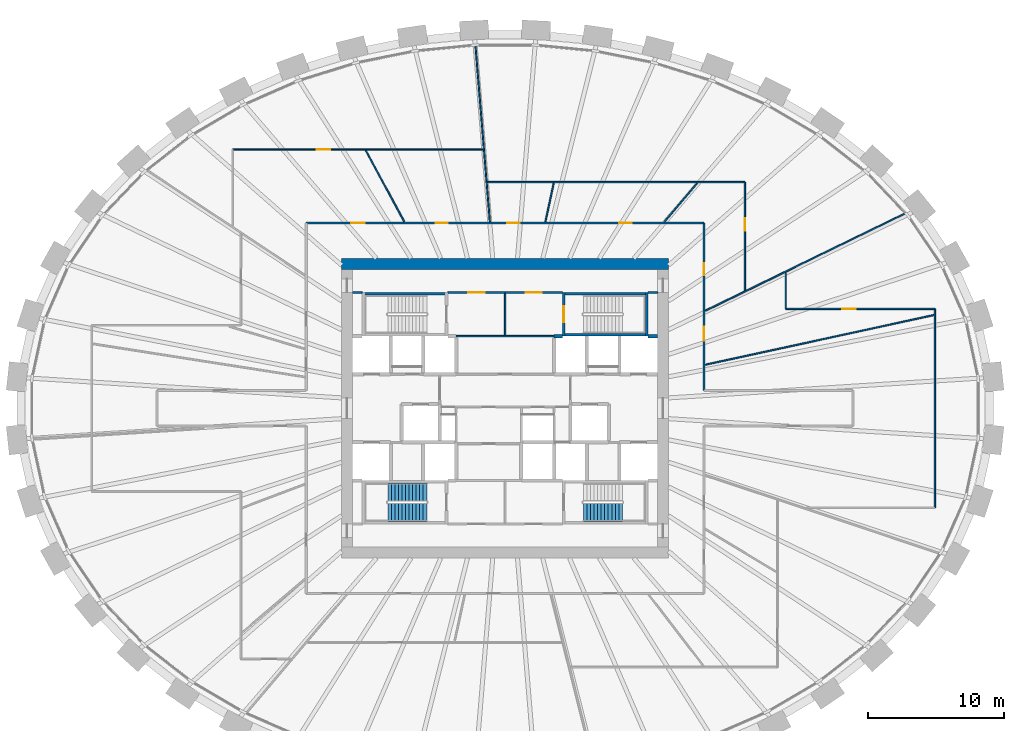
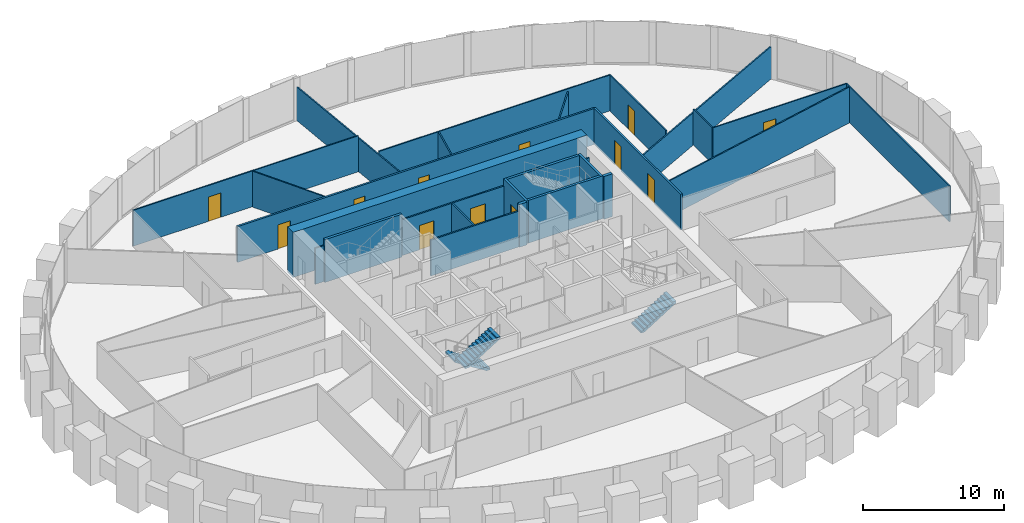
# One storey, part 9 of 11: 27 walls, 12 doors, 3 stair flights, 12 openings, 2 elements without a shape of their own.
"""IFC4 building model written with IfcOpenShell, lengths in metres."""

from ifc_helpers import new_model, si_unit, direction, frame, frame_2d, origin, place, context, subcontext, project, spatial, polyline, rectangle, outline, extrude, source, transform, mapped, material, layer, layer_set, type_object, element, fill, aggregate, save


model = new_model("IFC4")

# Units and contexts
model_context = context("Model", 3, precision=1e-05, world=origin(), true_north=direction((0.0, 1.0)))
body_context = subcontext(model_context, "Body", "Model", "MODEL_VIEW")
ifc_project = project(units=[si_unit("LENGTHUNIT", "METRE"), si_unit("AREAUNIT", "SQUARE_METRE"), si_unit("VOLUMEUNIT", "CUBIC_METRE"), si_unit("PLANEANGLEUNIT", "RADIAN"), si_unit("MASSUNIT", "GRAM", prefix="KILO")], contexts=[model_context])

# Site, building, storey
site_placement = place(None, origin())
site = spatial("IfcSite", under=ifc_project, at=site_placement, CompositionType="ELEMENT")
building_placement = place(site_placement, origin())
building = spatial("IfcBuilding", under=site, at=building_placement, Name="Embergate Tower", CompositionType="ELEMENT")
storey_placement = place(building_placement, frame((0.0, 0.0, 203.39990234375)))
storey = spatial("IfcBuildingStorey", under=building, at=storey_placement, Name="L46", CompositionType="ELEMENT", Elevation=203.39990234375)

# Wall
ifc_material_1 = material(Name="Concrete C70", Category="concrete")
ifc_layer_1 = layer(ifc_material_1, 0.800048828125)
ifc_layer_set_1 = layer_set([ifc_layer_1], Name="Concrete C70")
wall_type_1 = type_object("IfcWallType", Name="Core outer wall C70 800", PredefinedType="SHEAR", material=ifc_layer_set_1)
shared_shape_1 = source(origin(), body_context, "Body", "SweptSolid", [
    extrude(rectangle(XDim=24.0, YDim=0.800048828125, at=frame_2d((12.0, 0.0))), origin(), (0.0, 0.0, 1.0), 3.900146484375),
])
wall_1_placement = place(storey_placement, frame((-12.0, 10.60009765625, -0.199951171875), z_axis=(0.0, 0.0, 1.0), x_axis=(1.0, 0.0, 0.0)))
element("IfcWall", 1, at=wall_1_placement, inside=storey, type_object=wall_type_1, Name="CW-L46-N", PredefinedType="SHEAR", context=body_context, shape_type="MappedRepresentation", body=[
    mapped(shared_shape_1, transform((0.0, 0.0, 0.0))),
])

# Wall, openings, doors
ifc_material_2 = material(Name="Core partition blockwork 120")
ifc_layer_2 = layer(ifc_material_2, 0.1201171875)
ifc_layer_set_2 = layer_set([ifc_layer_2], Name="Core partition blockwork 120")
wall_type_2 = type_object("IfcWallType", Name="Core partition blockwork 120", PredefinedType="PARTITIONING", material=ifc_layer_set_2)
shared_shape_2 = source(origin(), body_context, "Body", "SweptSolid", [
    extrude(rectangle(XDim=8.39990234375, YDim=0.1201171875, at=frame_2d((4.199951171875, 0.0))), origin(), (0.0, 0.0, 1.0), 3.10009765625),
])
wall_2_placement = place(storey_placement, frame((4.199951171875, 8.5, 0.0), z_axis=(0.0, 0.0, 1.0), x_axis=(-1.0, 0.0, 0.0)))
wall_2 = element("IfcWall", 2, at=wall_2_placement, inside=storey, type_object=wall_type_2, Name="IP-3 wall", PredefinedType="PARTITIONING", context=body_context, shape_type="MappedRepresentation", body=[
    mapped(shared_shape_2, transform((0.0, 0.0, 0.0))),
])
shared_shape_3 = source(origin(), body_context, "Body", "SweptSolid", [
    extrude(rectangle(XDim=1.199951171875, YDim=2.10009765625, at=frame_2d((0.60009765625, 1.050048828125))), frame((0.0, 0.070068359375, 0.0), z_axis=(0.0, -1.0, 0.0), x_axis=(1.0, 0.0, 0.0)), (0.0, 0.0, 1.0), 0.14013671875),
])
opening_1_placement = place(wall_2_placement, frame((5.699951171875, 0.0, 0.0)))
opening_1 = element("IfcOpeningElement", 3, at=opening_1_placement, cuts=wall_2, Name="Opening IF-3f", PredefinedType="OPENING", context=body_context, shape_type="MappedRepresentation", body=[
    mapped(shared_shape_3, transform((0.0, 0.0, 0.0))),
])
opening_2_placement = place(wall_2_placement, frame((1.5, 0.0, 0.0)))
opening_2 = element("IfcOpeningElement", 4, at=opening_2_placement, cuts=wall_2, Name="Opening IF-3f", PredefinedType="OPENING", context=body_context, shape_type="MappedRepresentation", body=[
    mapped(shared_shape_3, transform((0.0, 0.0, 0.0))),
])
ifc_material_3 = material(Name="Lobby fire door pair 1200")
door_type_1 = type_object("IfcDoorType", Name="Lobby fire door pair 1200", OperationType="DOUBLE_DOOR_SINGLE_SWING", PredefinedType="DOOR", material=ifc_material_3)
shared_shape_4 = source(origin(), body_context, "Body", "SweptSolid", [
    extrude(rectangle(XDim=1.199951171875, YDim=2.10009765625, at=frame_2d((0.60009765625, 1.050048828125))), frame((0.0, 0.02490234375, 0.0), z_axis=(0.0, -1.0, 0.0), x_axis=(1.0, 0.0, 0.0)), (0.0, 0.0, 1.0), 0.050048828125),
])
door_1_placement = place(opening_1_placement, origin())
door_1 = element("IfcDoor", 5, at=door_1_placement, inside=storey, type_object=door_type_1, Name="IF-3 door", OperationType="DOUBLE_DOOR_SINGLE_SWING", OverallHeight=2.10009765625, OverallWidth=1.199951171875, PredefinedType="DOOR", context=body_context, shape_type="MappedRepresentation", body=[
    mapped(shared_shape_4, transform((0.0, 0.0, 0.0))),
])
fill(opening_1, door_1)
door_2_placement = place(opening_2_placement, origin())
door_2 = element("IfcDoor", 6, at=door_2_placement, inside=storey, type_object=door_type_1, Name="IF-3 door", OperationType="DOUBLE_DOOR_SINGLE_SWING", OverallHeight=2.10009765625, OverallWidth=1.199951171875, PredefinedType="DOOR", context=body_context, shape_type="MappedRepresentation", body=[
    mapped(shared_shape_4, transform((0.0, 0.0, 0.0))),
])
fill(opening_2, door_2)

# Walls
ifc_material_4 = material(Name="Concrete C50", Category="concrete")
ifc_layer_3 = layer(ifc_material_4, 0.199951171875)
ifc_layer_set_3 = layer_set([ifc_layer_3], Name="Concrete C50")
wall_type_3 = type_object("IfcWallType", Name="Stair enclosure wall reinforced concrete 250", PredefinedType="SHEAR", material=ifc_layer_set_3)
shared_shape_5 = source(origin(), body_context, "Body", "SweptSolid", [
    extrude(rectangle(XDim=6.300048828125, YDim=0.199951171875, at=frame_2d((3.14990234375, 0.0))), origin(), (0.0, 0.0, 1.0), 3.7001953125),
])
for number, where, z_axis, x_axis, name in (
    (7, (10.5, 5.39990234375, 0.0), (0.0, 0.0, 1.0), (-1.0, 0.0, 0.0), "SE-1 wall"),
    (8, (-4.199951171875, 8.39990234375, 0.0), (0.0, 0.0, 1.0), (-1.0, 0.0, 0.0), "SE-1 wall"),
    (9, (10.5, 8.39990234375, 0.0), (0.0, 0.0, 1.0), (-1.0, 0.0, 0.0), "SE-1 wall"),
):
    element("IfcWall", number, at=place(storey_placement, frame(where, z_axis=z_axis, x_axis=x_axis)), inside=storey, type_object=wall_type_3, Name=name, PredefinedType="SHEAR", context=body_context, shape_type="MappedRepresentation", body=[
        mapped(shared_shape_5, transform((0.0, 0.0, 0.0))),
    ])

# Wall, opening, door
shared_shape_6 = source(origin(), body_context, "Body", "SweptSolid", [
    extrude(rectangle(XDim=3.199951171875, YDim=0.199951171875, at=frame_2d((1.60009765625, 0.0))), origin(), (0.0, 0.0, 1.0), 3.7001953125),
])
wall_3_placement = place(storey_placement, frame((4.300048828125, 8.5, 0.0), z_axis=(0.0, 0.0, 1.0), x_axis=(0.0, -1.0, 0.0)))
wall_3 = element("IfcWall", 10, at=wall_3_placement, inside=storey, type_object=wall_type_3, Name="SE-1 wall", PredefinedType="SHEAR", context=body_context, shape_type="MappedRepresentation", body=[
    mapped(shared_shape_6, transform((0.0, 0.0, 0.0))),
])
shared_shape_7 = source(origin(), body_context, "Body", "SweptSolid", [
    extrude(rectangle(XDim=1.199951171875, YDim=2.10009765625, at=frame_2d((0.60009765625, 1.050048828125))), frame((0.0, 0.10986328125, 0.0), z_axis=(0.0, -1.0, 0.0), x_axis=(1.0, 0.0, 0.0)), (0.0, 0.0, 1.0), 0.219970703125),
])
opening_3_placement = place(wall_3_placement, frame((1.0, 0.0, 0.0)))
opening_3 = element("IfcOpeningElement", 11, at=opening_3_placement, cuts=wall_3, Name="Opening IF-2", PredefinedType="OPENING", context=body_context, shape_type="MappedRepresentation", body=[
    mapped(shared_shape_7, transform((0.0, 0.0, 0.0))),
])
ifc_material_5 = material(Name="Stair enclosure door 1200")
door_type_2 = type_object("IfcDoorType", Name="Stair enclosure door 1200", OperationType="SINGLE_SWING_LEFT", PredefinedType="DOOR", material=ifc_material_5)
door_3_placement = place(opening_3_placement, origin())
door_3 = element("IfcDoor", 12, at=door_3_placement, inside=storey, type_object=door_type_2, Name="IF-2 door", OperationType="SINGLE_SWING_LEFT", OverallHeight=2.10009765625, OverallWidth=1.199951171875, PredefinedType="DOOR", context=body_context, shape_type="MappedRepresentation", body=[
    mapped(shared_shape_4, transform((0.0, 0.0, 0.0))),
])
fill(opening_3, door_3)

ifc_material_6 = material(Name="Partition dry-lined 100")
ifc_layer_4 = layer(ifc_material_6, 0.10009765625)
ifc_layer_set_4 = layer_set([ifc_layer_4], Name="Partition dry-lined 100")
wall_type_4 = type_object("IfcWallType", Name="Partition dry-lined 100", PredefinedType="PARTITIONING", material=ifc_layer_set_4)
shared_shape_8 = source(origin(), body_context, "Body", "SweptSolid", [
    extrude(rectangle(XDim=10.949951171875, YDim=0.10009765625, at=frame_2d((5.47509765625, 0.0))), origin(), (0.0, 0.0, 1.0), 3.10009765625),
])
wall_4_placement = place(storey_placement, frame((20.60009765625, 7.300048828125, 0.0), z_axis=(0.0, 0.0, 1.0), x_axis=(1.0, 0.0, 0.0)))
wall_4 = element("IfcWall", 13, at=wall_4_placement, inside=storey, type_object=wall_type_4, Name="IP-1 wall", PredefinedType="PARTITIONING", context=body_context, shape_type="MappedRepresentation", body=[
    mapped(shared_shape_8, transform((0.0, 0.0, 0.0))),
])
shared_shape_9 = source(origin(), body_context, "Body", "SweptSolid", [
    extrude(rectangle(XDim=1.0, YDim=2.10009765625, at=frame_2d((0.5, 1.050048828125))), frame((0.0, 0.06005859375, 0.0), z_axis=(0.0, -1.0, 0.0), x_axis=(1.0, 0.0, 0.0)), (0.0, 0.0, 1.0), 0.1201171875),
])
opening_4_placement = place(wall_4_placement, frame((4.133056640625, 0.0, 0.0)))
opening_4 = element("IfcOpeningElement", 14, at=opening_4_placement, cuts=wall_4, Name="Opening ID-2", PredefinedType="OPENING", context=body_context, shape_type="MappedRepresentation", body=[
    mapped(shared_shape_9, transform((0.0, 0.0, 0.0))),
])
ifc_material_7 = material(Name="Interior door 1000")
door_type_3 = type_object("IfcDoorType", Name="Interior door 1000", OperationType="SINGLE_SWING_LEFT", PredefinedType="DOOR", material=ifc_material_7)
shared_shape_10 = source(origin(), body_context, "Body", "SweptSolid", [
    extrude(rectangle(XDim=1.0, YDim=2.10009765625, at=frame_2d((0.5, 1.050048828125))), frame((0.0, 0.02490234375, 0.0), z_axis=(0.0, -1.0, 0.0), x_axis=(1.0, 0.0, 0.0)), (0.0, 0.0, 1.0), 0.050048828125),
])
door_4_placement = place(opening_4_placement, origin())
door_4 = element("IfcDoor", 15, at=door_4_placement, inside=storey, type_object=door_type_3, Name="ID-2 door", OperationType="SINGLE_SWING_RIGHT", OverallHeight=2.10009765625, OverallWidth=1.0, PredefinedType="DOOR", context=body_context, shape_type="MappedRepresentation", body=[
    mapped(shared_shape_10, transform((0.0, 0.0, 0.0))),
])
fill(opening_4, door_4)

# Walls
shared_shape_11 = source(origin(), body_context, "Body", "SweptSolid", [
    extrude(rectangle(XDim=7.2001953125, YDim=0.1201171875, at=frame_2d((3.60009765625, 0.0))), origin(), (0.0, 0.0, 1.0), 3.10009765625),
])
wall_5_placement = place(storey_placement, frame((-3.60009765625, 5.300048828125, 0.0), z_axis=(0.0, 0.0, 1.0), x_axis=(1.0, 0.0, 0.0)))
element("IfcWall", 16, at=wall_5_placement, inside=storey, type_object=wall_type_2, Name="IP-3 wall", PredefinedType="PARTITIONING", context=body_context, shape_type="MappedRepresentation", body=[
    mapped(shared_shape_11, transform((0.0, 0.0, 0.0))),
])
shared_shape_12 = source(origin(), body_context, "Body", "SweptSolid", [
    extrude(rectangle(XDim=3.079833984375, YDim=0.1201171875, at=frame_2d((1.5400390625, 0.0))), origin(), (0.0, 0.0, 1.0), 3.10009765625),
])
wall_6_placement = place(storey_placement, frame((0.0, 5.360107421875, 0.0), z_axis=(0.0, 0.0, 1.0), x_axis=(0.0, 1.0, 0.0)))
element("IfcWall", 17, at=wall_6_placement, inside=storey, type_object=wall_type_2, Name="IP-3 wall", PredefinedType="PARTITIONING", context=body_context, shape_type="MappedRepresentation", body=[
    mapped(shared_shape_12, transform((0.0, 0.0, 0.0))),
])
shared_shape_13 = source(origin(), body_context, "Body", "SweptSolid", [
    extrude(rectangle(XDim=0.697998046875, YDim=0.1201171875, at=frame_2d((0.34912109375, 0.0))), origin(), (0.0, 0.0, 1.0), 3.10009765625),
])
for number, where, z_axis, x_axis, name in (
    (18, (10.501953125, 8.5, 0.0), (0.0, 0.0, 1.0), (1.0, 0.0, 0.0), "IP-3 wall"),
    (19, (-11.199951171875, 8.5, 0.0), (0.0, 0.0, 1.0), (1.0, 0.0, 0.0), "IP-3 wall"),
):
    element("IfcWall", number, at=place(storey_placement, frame(where, z_axis=z_axis, x_axis=x_axis)), inside=storey, type_object=wall_type_2, Name=name, PredefinedType="PARTITIONING", context=body_context, shape_type="MappedRepresentation", body=[
        mapped(shared_shape_13, transform((0.0, 0.0, 0.0))),
    ])
ifc_layer_5 = layer(ifc_material_4, 0.25)
ifc_layer_set_5 = layer_set([ifc_layer_5], Name="Concrete C50")
wall_type_5 = type_object("IfcWallType", Name="Hoistway wall reinforced concrete 250", PredefinedType="SHEAR", material=ifc_layer_set_5)
shared_shape_14 = source(origin(), body_context, "Body", "SweptSolid", [
    extrude(rectangle(XDim=0.599853515625, YDim=0.25, at=frame_2d((0.2998046875, 0.0))), origin(), (0.0, 0.0, 1.0), 3.7001953125),
])
wall_7_placement = place(storey_placement, frame((4.199951171875, 5.300048828125, 0.0), z_axis=(0.0, 0.0, 1.0), x_axis=(-1.0, 0.0, 0.0)))
element("IfcWall", 20, at=wall_7_placement, inside=storey, type_object=wall_type_5, Name="HW-1 wall", PredefinedType="SHEAR", context=body_context, shape_type="MappedRepresentation", body=[
    mapped(shared_shape_14, transform((0.0, 0.0, 0.0))),
])
shared_shape_15 = source(origin(), body_context, "Body", "SweptSolid", [
    extrude(rectangle(XDim=3.196044921875, YDim=0.199951171875, at=frame_2d((1.59814453125, 0.0))), origin(), (0.0, 0.0, 1.0), 3.7001953125),
])
wall_8_placement = place(storey_placement, frame((10.39990234375, 5.302001953125, 0.0), z_axis=(0.0, 0.0, 1.0), x_axis=(0.0, 1.0, 0.0)))
element("IfcWall", 21, at=wall_8_placement, inside=storey, type_object=wall_type_3, Name="SE-1 wall", PredefinedType="SHEAR", context=body_context, shape_type="MappedRepresentation", body=[
    mapped(shared_shape_15, transform((0.0, 0.0, 0.0))),
])
shared_shape_16 = source(origin(), body_context, "Body", "SweptSolid", [
    extrude(rectangle(XDim=0.697998046875, YDim=0.25, at=frame_2d((0.34912109375, 0.0))), origin(), (0.0, 0.0, 1.0), 3.7001953125),
])
wall_9_placement = place(storey_placement, frame((11.199951171875, 5.300048828125, 0.0), z_axis=(0.0, 0.0, 1.0), x_axis=(-1.0, 0.0, 0.0)))
element("IfcWall", 22, at=wall_9_placement, inside=storey, type_object=wall_type_5, Name="HW-1 wall", PredefinedType="SHEAR", context=body_context, shape_type="MappedRepresentation", body=[
    mapped(shared_shape_16, transform((0.0, 0.0, 0.0))),
])

# Wall, openings, doors
ifc_material_8 = material(Name="Corridor wall dry-lined 150")
ifc_layer_6 = layer(ifc_material_8, 0.14990234375)
ifc_layer_set_6 = layer_set([ifc_layer_6], Name="Corridor wall dry-lined 150")
wall_type_6 = type_object("IfcWallType", Name="Corridor wall dry-lined 150", PredefinedType="PARTITIONING", material=ifc_layer_set_6)
shared_shape_17 = source(origin(), body_context, "Body", "SweptSolid", [
    extrude(rectangle(XDim=12.300048828125, YDim=0.14990234375, at=frame_2d((6.14990234375, 0.0))), origin(), (0.0, 0.0, 1.0), 3.10009765625),
])
wall_10_placement = place(storey_placement, frame((14.60009765625, 13.60009765625, 0.0), z_axis=(0.0, 0.0, 1.0), x_axis=(0.0, -1.0, 0.0)))
wall_10 = element("IfcWall", 23, at=wall_10_placement, inside=storey, type_object=wall_type_6, Name="IP-2 wall", PredefinedType="PARTITIONING", context=body_context, shape_type="MappedRepresentation", body=[
    mapped(shared_shape_17, transform((0.0, 0.0, 0.0))),
])
shared_shape_18 = source(origin(), body_context, "Body", "SweptSolid", [
    extrude(rectangle(XDim=1.0, YDim=2.10009765625, at=frame_2d((0.5, 1.050048828125))), frame((0.0, 0.0849609375, 0.0), z_axis=(0.0, -1.0, 0.0), x_axis=(1.0, 0.0, 0.0)), (0.0, 0.0, 1.0), 0.169921875),
])
opening_5_placement = place(wall_10_placement, frame((7.631103515625, 0.0, 0.0)))
opening_5 = element("IfcOpeningElement", 24, at=opening_5_placement, cuts=wall_10, Name="Opening ID-2", PredefinedType="OPENING", context=body_context, shape_type="MappedRepresentation", body=[
    mapped(shared_shape_18, transform((0.0, 0.0, 0.0))),
])
shared_shape_19 = source(origin(), body_context, "Body", "SweptSolid", [
    extrude(rectangle(XDim=0.89990234375, YDim=2.10009765625, at=frame_2d((0.449951171875, 1.050048828125))), frame((0.0, 0.0849609375, 0.0), z_axis=(0.0, -1.0, 0.0), x_axis=(1.0, 0.0, 0.0)), (0.0, 0.0, 1.0), 0.169921875),
])
opening_6_placement = place(wall_10_placement, frame((2.945068359375, 0.0, 0.0)))
opening_6 = element("IfcOpeningElement", 25, at=opening_6_placement, cuts=wall_10, Name="Opening IF-1c", PredefinedType="OPENING", context=body_context, shape_type="MappedRepresentation", body=[
    mapped(shared_shape_19, transform((0.0, 0.0, 0.0))),
])
ifc_material_9 = material(Name="Escape fire door 900")
door_type_4 = type_object("IfcDoorType", Name="Escape fire door 900", OperationType="SINGLE_SWING_LEFT", PredefinedType="DOOR", material=ifc_material_9)
shared_shape_20 = source(origin(), body_context, "Body", "SweptSolid", [
    extrude(rectangle(XDim=0.89990234375, YDim=2.10009765625, at=frame_2d((0.449951171875, 1.050048828125))), frame((0.0, 0.02490234375, 0.0), z_axis=(0.0, -1.0, 0.0), x_axis=(1.0, 0.0, 0.0)), (0.0, 0.0, 1.0), 0.050048828125),
])
door_5_placement = place(opening_6_placement, origin())
door_5 = element("IfcDoor", 26, at=door_5_placement, inside=storey, type_object=door_type_4, Name="IF-1 door", OperationType="SINGLE_SWING_RIGHT", OverallHeight=2.10009765625, OverallWidth=0.89990234375, PredefinedType="DOOR", context=body_context, shape_type="MappedRepresentation", body=[
    mapped(shared_shape_20, transform((0.0, 0.0, 0.0))),
])
fill(opening_6, door_5)
door_6_placement = place(opening_5_placement, origin())
door_6 = element("IfcDoor", 27, at=door_6_placement, inside=storey, type_object=door_type_3, Name="ID-2 door", OperationType="SINGLE_SWING_RIGHT", OverallHeight=2.10009765625, OverallWidth=1.0, PredefinedType="DOOR", context=body_context, shape_type="MappedRepresentation", body=[
    mapped(shared_shape_10, transform((0.0, 0.0, 0.0))),
])
fill(opening_5, door_6)

ifc_material_10 = material(Name="Corridor wall dry-lined 150 wet")
ifc_layer_7 = layer(ifc_material_10, 0.14990234375)
ifc_layer_set_7 = layer_set([ifc_layer_7], Name="Corridor wall dry-lined 150 wet")
wall_type_7 = type_object("IfcWallType", Name="Corridor wall dry-lined 150 wet", PredefinedType="PLUMBINGWALL", material=ifc_layer_set_7)
shared_shape_21 = source(origin(), body_context, "Body", "SweptSolid", [
    extrude(rectangle(XDim=29.2001953125, YDim=0.14990234375, at=frame_2d((14.60009765625, 0.0))), origin(), (0.0, 0.0, 1.0), 3.10009765625),
])
wall_11_placement = place(storey_placement, frame((-14.60009765625, 13.60009765625, 0.0), z_axis=(0.0, 0.0, 1.0), x_axis=(1.0, 0.0, 0.0)))
wall_11 = element("IfcWall", 28, at=wall_11_placement, inside=storey, type_object=wall_type_7, Name="IP-2 wall", PredefinedType="PLUMBINGWALL", context=body_context, shape_type="MappedRepresentation", body=[
    mapped(shared_shape_21, transform((0.0, 0.0, 0.0))),
])
opening_7_placement = place(wall_11_placement, frame((22.99609375, 0.0, 0.0)))
opening_7 = element("IfcOpeningElement", 29, at=opening_7_placement, cuts=wall_11, Name="Opening IF-1c", PredefinedType="OPENING", context=body_context, shape_type="MappedRepresentation", body=[
    mapped(shared_shape_19, transform((0.0, 0.0, 0.0))),
])
opening_8_placement = place(wall_11_placement, frame((14.757080078125, 0.0, 0.0)))
opening_8 = element("IfcOpeningElement", 30, at=opening_8_placement, cuts=wall_11, Name="Opening IF-1c", PredefinedType="OPENING", context=body_context, shape_type="MappedRepresentation", body=[
    mapped(shared_shape_19, transform((0.0, 0.0, 0.0))),
])
opening_9_placement = place(wall_11_placement, frame((9.493896484375, 0.0, 0.0)))
opening_9 = element("IfcOpeningElement", 31, at=opening_9_placement, cuts=wall_11, Name="Opening IF-1c", PredefinedType="OPENING", context=body_context, shape_type="MappedRepresentation", body=[
    mapped(shared_shape_19, transform((0.0, 0.0, 0.0))),
])
opening_10_placement = place(wall_11_placement, frame((3.2958984375, 0.0, 0.0)))
opening_10 = element("IfcOpeningElement", 32, at=opening_10_placement, cuts=wall_11, Name="Opening ID-2", PredefinedType="OPENING", context=body_context, shape_type="MappedRepresentation", body=[
    mapped(shared_shape_18, transform((0.0, 0.0, 0.0))),
])
door_7_placement = place(opening_7_placement, origin())
door_7 = element("IfcDoor", 33, at=door_7_placement, inside=storey, type_object=door_type_4, Name="IF-1 door", OperationType="SINGLE_SWING_RIGHT", OverallHeight=2.10009765625, OverallWidth=0.89990234375, PredefinedType="DOOR", context=body_context, shape_type="MappedRepresentation", body=[
    mapped(shared_shape_20, transform((0.0, 0.0, 0.0))),
])
fill(opening_7, door_7)
door_8_placement = place(opening_8_placement, origin())
door_8 = element("IfcDoor", 34, at=door_8_placement, inside=storey, type_object=door_type_4, Name="IF-1 door", OperationType="SINGLE_SWING_LEFT", OverallHeight=2.10009765625, OverallWidth=0.89990234375, PredefinedType="DOOR", context=body_context, shape_type="MappedRepresentation", body=[
    mapped(shared_shape_20, transform((0.0, 0.0, 0.0))),
])
fill(opening_8, door_8)
door_9_placement = place(opening_9_placement, origin())
door_9 = element("IfcDoor", 35, at=door_9_placement, inside=storey, type_object=door_type_4, Name="IF-1 door", OperationType="SINGLE_SWING_LEFT", OverallHeight=2.10009765625, OverallWidth=0.89990234375, PredefinedType="DOOR", context=body_context, shape_type="MappedRepresentation", body=[
    mapped(shared_shape_20, transform((0.0, 0.0, 0.0))),
])
fill(opening_9, door_9)
door_10_placement = place(opening_10_placement, origin())
door_10 = element("IfcDoor", 36, at=door_10_placement, inside=storey, type_object=door_type_3, Name="ID-2 door", OperationType="SINGLE_SWING_LEFT", OverallHeight=2.10009765625, OverallWidth=1.0, PredefinedType="DOOR", context=body_context, shape_type="MappedRepresentation", body=[
    mapped(shared_shape_10, transform((0.0, 0.0, 0.0))),
])
fill(opening_10, door_10)

# Walls
shared_shape_22 = source(origin(), body_context, "Body", "SweptSolid", [
    extrude(rectangle(XDim=17.195556640625, YDim=0.10009765625, at=frame_2d((8.59765625, 0.0))), origin(), (0.0, 0.0, 1.0), 3.10009765625),
])
wall_12_placement = place(storey_placement, frame((31.489013671875, 6.844970703125, 0.0), z_axis=(0.0, 0.0, 1.0), x_axis=(-0.977173288454, -0.212443790994, 0.0)))
element("IfcWall", 37, at=wall_12_placement, inside=storey, type_object=wall_type_4, Name="IP-1 wall", PredefinedType="PARTITIONING", context=body_context, shape_type="MappedRepresentation", body=[
    mapped(shared_shape_22, transform((0.0, 0.0, 0.0))),
])
shared_shape_23 = source(origin(), body_context, "Body", "SweptSolid", [
    extrude(rectangle(XDim=14.60009765625, YDim=0.10009765625, at=frame_2d((7.300048828125, 0.0))), origin(), (0.0, 0.0, 1.0), 3.10009765625),
])
wall_13_placement = place(storey_placement, frame((31.550048828125, 7.300048828125, 0.0), z_axis=(0.0, 0.0, 1.0), x_axis=(0.0, -1.0, 0.0)))
element("IfcWall", 38, at=wall_13_placement, inside=storey, type_object=wall_type_4, Name="IP-1 wall", PredefinedType="PARTITIONING", context=body_context, shape_type="MappedRepresentation", body=[
    mapped(shared_shape_23, transform((0.0, 0.0, 0.0))),
])
shared_shape_24 = source(origin(), body_context, "Body", "SweptSolid", [
    extrude(rectangle(XDim=2.65185546875, YDim=0.10009765625, at=frame_2d((1.325927734375, 0.0))), origin(), (0.0, 0.0, 1.0), 3.10009765625),
])
wall_14_placement = place(storey_placement, frame((20.60009765625, 9.951904296875, 0.0), z_axis=(0.0, 0.0, 1.0), x_axis=(0.0, -1.0, 0.0)))
element("IfcWall", 39, at=wall_14_placement, inside=storey, type_object=wall_type_4, Name="IP-1 wall", PredefinedType="PARTITIONING", context=body_context, shape_type="MappedRepresentation", body=[
    mapped(shared_shape_24, transform((0.0, 0.0, 0.0))),
])
ifc_material_11 = material(Name="Partition dry-lined 100 wet")
ifc_layer_8 = layer(ifc_material_11, 0.10009765625)
ifc_layer_set_8 = layer_set([ifc_layer_8], Name="Partition dry-lined 100 wet")
wall_type_8 = type_object("IfcWallType", Name="Partition dry-lined 100 wet", PredefinedType="PLUMBINGWALL", material=ifc_layer_set_8)
shared_shape_25 = source(origin(), body_context, "Body", "SweptSolid", [
    extrude(rectangle(XDim=16.35498046875, YDim=0.10009765625, at=frame_2d((8.177490234375, 0.0))), origin(), (0.0, 0.0, 1.0), 2.800048828125),
])
wall_15_placement = place(storey_placement, frame((29.40087890625, 14.318115234375, 0.0), z_axis=(0.0, 0.0, 1.0), x_axis=(-0.899044868623, -0.437856510974, 0.0)))
element("IfcWall", 40, at=wall_15_placement, inside=storey, type_object=wall_type_8, Name="IP-1 wall", PredefinedType="PLUMBINGWALL", context=body_context, shape_type="MappedRepresentation", body=[
    mapped(shared_shape_25, transform((0.0, 0.0, 0.0))),
])

# Wall, opening, door
shared_shape_26 = source(origin(), body_context, "Body", "SweptSolid", [
    extrude(rectangle(XDim=7.94921875, YDim=0.10009765625, at=frame_2d((3.974609375, 0.0))), origin(), (0.0, 0.0, 1.0), 3.10009765625),
])
wall_16_placement = place(storey_placement, frame((17.60009765625, 8.65087890625, 0.0), z_axis=(0.0, 0.0, 1.0), x_axis=(0.0, 1.0, 0.0)))
wall_16 = element("IfcWall", 41, at=wall_16_placement, inside=storey, type_object=wall_type_8, Name="IP-1 wall", PredefinedType="PLUMBINGWALL", context=body_context, shape_type="MappedRepresentation", body=[
    mapped(shared_shape_26, transform((0.0, 0.0, 0.0))),
])
shared_shape_27 = source(origin(), body_context, "Body", "SweptSolid", [
    extrude(rectangle(XDim=0.89990234375, YDim=2.10009765625, at=frame_2d((0.449951171875, 1.050048828125))), frame((0.0, 0.06005859375, 0.0), z_axis=(0.0, -1.0, 0.0), x_axis=(1.0, 0.0, 0.0)), (0.0, 0.0, 1.0), 0.1201171875),
])
opening_11_placement = place(wall_16_placement, frame((4.398681640625, 0.0, 0.0)))
opening_11 = element("IfcOpeningElement", 42, at=opening_11_placement, cuts=wall_16, Name="Opening ID-1", PredefinedType="OPENING", context=body_context, shape_type="MappedRepresentation", body=[
    mapped(shared_shape_27, transform((0.0, 0.0, 0.0))),
])
ifc_material_12 = material(Name="Interior door 900")
door_type_5 = type_object("IfcDoorType", Name="Interior door 900", OperationType="SINGLE_SWING_LEFT", PredefinedType="DOOR", material=ifc_material_12)
door_11_placement = place(opening_11_placement, origin())
door_11 = element("IfcDoor", 43, at=door_11_placement, inside=storey, type_object=door_type_5, Name="ID-1 door", OperationType="SINGLE_SWING_LEFT", OverallHeight=2.10009765625, OverallWidth=0.89990234375, PredefinedType="DOOR", context=body_context, shape_type="MappedRepresentation", body=[
    mapped(shared_shape_20, transform((0.0, 0.0, 0.0))),
])
fill(opening_11, door_11)

# Walls
shared_shape_28 = source(origin(), body_context, "Body", "SweptSolid", [
    extrude(rectangle(XDim=18.906982421875, YDim=0.10009765625, at=frame_2d((9.45361328125, 0.0))), origin(), (0.0, 0.0, 1.0), 3.10009765625),
])
wall_17_placement = place(storey_placement, frame((17.60009765625, 16.60009765625, 0.0), z_axis=(0.0, 0.0, 1.0), x_axis=(-1.0, 0.0, 0.0)))
element("IfcWall", 44, at=wall_17_placement, inside=storey, type_object=wall_type_8, Name="IP-1 wall", PredefinedType="PLUMBINGWALL", context=body_context, shape_type="MappedRepresentation", body=[
    mapped(shared_shape_28, transform((0.0, 0.0, 0.0))),
])
shared_shape_29 = source(origin(), body_context, "Body", "SweptSolid", [
    extrude(rectangle(XDim=2.9189453125, YDim=0.10009765625, at=frame_2d((1.45947265625, 0.0))), origin(), (0.0, 0.0, 1.0), 3.10009765625),
])
wall_18_placement = place(storey_placement, frame((2.955078125, 13.68603515625, 0.0), z_axis=(0.0, 0.0, 1.0), x_axis=(0.211356547665, 0.977409028892, 0.0)))
element("IfcWall", 45, at=wall_18_placement, inside=storey, type_object=wall_type_8, Name="IP-1 wall", PredefinedType="PLUMBINGWALL", context=body_context, shape_type="MappedRepresentation", body=[
    mapped(shared_shape_29, transform((0.0, 0.0, 0.0))),
])
shared_shape_30 = source(origin(), body_context, "Body", "SweptSolid", [
    extrude(rectangle(XDim=5.941650390625, YDim=0.10009765625, at=frame_2d((2.970703125, 0.0))), origin(), (0.0, 0.0, 1.0), 3.10009765625),
])
wall_19_placement = place(storey_placement, frame((-7.40087890625, 13.698974609375, 0.0), z_axis=(0.0, 0.0, 1.0), x_axis=(-0.475486095106, 0.879723236797, 0.0)))
element("IfcWall", 46, at=wall_19_placement, inside=storey, type_object=wall_type_4, Name="IP-1 wall", PredefinedType="PARTITIONING", context=body_context, shape_type="MappedRepresentation", body=[
    mapped(shared_shape_30, transform((0.0, 0.0, 0.0))),
])

# Wall, opening, door
shared_shape_31 = source(origin(), body_context, "Body", "SweptSolid", [
    extrude(rectangle(XDim=18.39697265625, YDim=0.10009765625, at=frame_2d((9.198486328125, 0.0))), origin(), (0.0, 0.0, 1.0), 3.10009765625),
])
wall_20_placement = place(storey_placement, frame((-20.0, 19.0, 0.0), z_axis=(0.0, 0.0, 1.0), x_axis=(1.0, 0.0, 0.0)))
wall_20 = element("IfcWall", 47, at=wall_20_placement, inside=storey, type_object=wall_type_4, Name="IP-1 wall", PredefinedType="PARTITIONING", context=body_context, shape_type="MappedRepresentation", body=[
    mapped(shared_shape_31, transform((0.0, 0.0, 0.0))),
])
opening_12_placement = place(wall_20_placement, frame((6.156982421875, 0.0, 0.0)))
opening_12 = element("IfcOpeningElement", 48, at=opening_12_placement, cuts=wall_20, Name="Opening ID-2", PredefinedType="OPENING", context=body_context, shape_type="MappedRepresentation", body=[
    mapped(shared_shape_9, transform((0.0, 0.0, 0.0))),
])
door_12_placement = place(opening_12_placement, origin())
door_12 = element("IfcDoor", 49, at=door_12_placement, inside=storey, type_object=door_type_3, Name="ID-2 door", OperationType="SINGLE_SWING_RIGHT", OverallHeight=2.10009765625, OverallWidth=1.0, PredefinedType="DOOR", context=body_context, shape_type="MappedRepresentation", body=[
    mapped(shared_shape_10, transform((0.0, 0.0, 0.0))),
])
fill(opening_12, door_12)

# Walls
shared_shape_32 = source(origin(), body_context, "Body", "SweptSolid", [
    extrude(rectangle(XDim=3.693603515625, YDim=0.10009765625, at=frame_2d((1.8466796875, 0.0))), origin(), (0.0, 0.0, 1.0), 2.900146484375),
])
wall_21_placement = place(storey_placement, frame((11.694091796875, 13.70703125, 0.0), z_axis=(0.0, 0.0, 1.0), x_axis=(0.648971364337, 0.760812833929, 0.0)))
element("IfcWall", 50, at=wall_21_placement, inside=storey, type_object=wall_type_8, Name="IP-1 wall", PredefinedType="PLUMBINGWALL", context=body_context, shape_type="MappedRepresentation", body=[
    mapped(shared_shape_32, transform((0.0, 0.0, 0.0))),
])
shared_shape_33 = source(origin(), body_context, "Body", "SweptSolid", [
    extrude(rectangle(XDim=13.025146484375, YDim=0.10009765625, at=frame_2d((6.5126953125, 0.0))), origin(), (0.0, 0.0, 1.0), 2.900146484375),
])
wall_22_placement = place(storey_placement, frame((-1.117919921875, 13.675048828125, 0.0), z_axis=(0.0, 0.0, 1.0), x_axis=(-0.081460046977, 0.996676607906, 0.0)))
element("IfcWall", 51, at=wall_22_placement, inside=storey, type_object=wall_type_8, Name="IP-1 wall", PredefinedType="PLUMBINGWALL", context=body_context, shape_type="MappedRepresentation", body=[
    mapped(shared_shape_33, transform((0.0, 0.0, 0.0))),
])

# Stair, stair flights
ifc_material_13 = material(Name="Exit stair")
stair_type = type_object("IfcStairType", Name="Exit stair", PredefinedType="HALF_TURN_STAIR", material=ifc_material_13)
stair_1_placement = place(storey_placement, origin())
stair_1 = element("IfcStair", 52, at=stair_1_placement, inside=storey, type_object=stair_type, Name="L46 Exit stair 3", PredefinedType="HALF_TURN_STAIR")
ifc_material_14 = material(Name="Concrete C40", Category="concrete")
stair_flight_type = type_object("IfcStairFlightType", Name="Stair flight reinforced concrete", PredefinedType="STRAIGHT", material=ifc_material_14)
shared_shape_34 = source(origin(), body_context, "Body", "SweptSolid", [
    extrude(outline(polyline([(0.0, 0.0), (0.0, 0.16259765625), (0.260009765625, 0.16259765625), (0.260009765625, 0.324951171875), (0.52001953125, 0.324951171875), (0.52001953125, 0.487548828125), (0.780029296875, 0.487548828125), (0.780029296875, 0.64990234375), (1.0400390625, 0.64990234375), (1.0400390625, 0.8125), (1.300048828125, 0.8125), (1.300048828125, 0.97509765625), (1.56005859375, 0.97509765625), (1.56005859375, 1.137451171875), (1.820068359375, 1.137451171875), (1.820068359375, 1.300048828125), (2.080078125, 1.300048828125), (2.080078125, 1.46240234375), (2.340087890625, 1.46240234375), (2.340087890625, 1.625), (2.60009765625, 1.625), (2.60009765625, 1.78759765625), (2.860107421875, 1.78759765625), (2.860107421875, 1.949951171875), (2.860107421875, 1.61083984375), (0.28271484375, 0.0), (0.0, 0.0)])), frame((0.0, 0.675048828125, 0.0), z_axis=(0.0, -1.0, 0.0), x_axis=(1.0, 0.0, 0.0)), (0.0, 0.0, 1.0), 1.35009765625),
])
stair_flight_1_placement = place(storey_placement, frame((-5.75, -6.175048828125, 0.0), z_axis=(0.0, 0.0, 1.0), x_axis=(-1.0, 0.0, 0.0)))
stair_flight_1 = element("IfcStairFlight", 53, at=stair_flight_1_placement, type_object=stair_flight_type, Name="ST3 flight 1", NumberOfRisers=12, NumberOfTreads=11, PredefinedType="STRAIGHT", RiserHeight=0.1625, TreadLength=0.26, context=body_context, shape_type="MappedRepresentation", body=[
    mapped(shared_shape_34, transform((0.0, 0.0, 0.0))),
])
stair_flight_2_placement = place(storey_placement, frame((-8.610107421875, -7.625, 1.9501953125), z_axis=(0.0, 0.0, 1.0), x_axis=(1.0, 0.0, 0.0)))
stair_flight_2 = element("IfcStairFlight", 54, at=stair_flight_2_placement, type_object=stair_flight_type, Name="ST3 flight 2", NumberOfRisers=12, NumberOfTreads=11, PredefinedType="STRAIGHT", RiserHeight=0.1625, TreadLength=0.26, context=body_context, shape_type="MappedRepresentation", body=[
    mapped(shared_shape_34, transform((0.0, 0.0, 0.0))),
])
aggregate(stair_1, [stair_flight_1, stair_flight_2])

# Stair, stair flight
stair_2_placement = place(storey_placement, origin())
stair_2 = element("IfcStair", 55, at=stair_2_placement, inside=storey, type_object=stair_type, Name="L46 Exit stair 4", PredefinedType="HALF_TURN_STAIR")
stair_flight_3_placement = place(storey_placement, frame((5.75, -7.625, 0.0), z_axis=(0.0, 0.0, 1.0), x_axis=(1.0, 0.0, 0.0)))
stair_flight_3 = element("IfcStairFlight", 56, at=stair_flight_3_placement, type_object=stair_flight_type, Name="ST4 flight 1", NumberOfRisers=12, NumberOfTreads=11, PredefinedType="STRAIGHT", RiserHeight=0.1625, TreadLength=0.26, context=body_context, shape_type="MappedRepresentation", body=[
    mapped(shared_shape_34, transform((0.0, 0.0, 0.0))),
])
aggregate(stair_2, [stair_flight_3])

save(model, "model.ifc")
